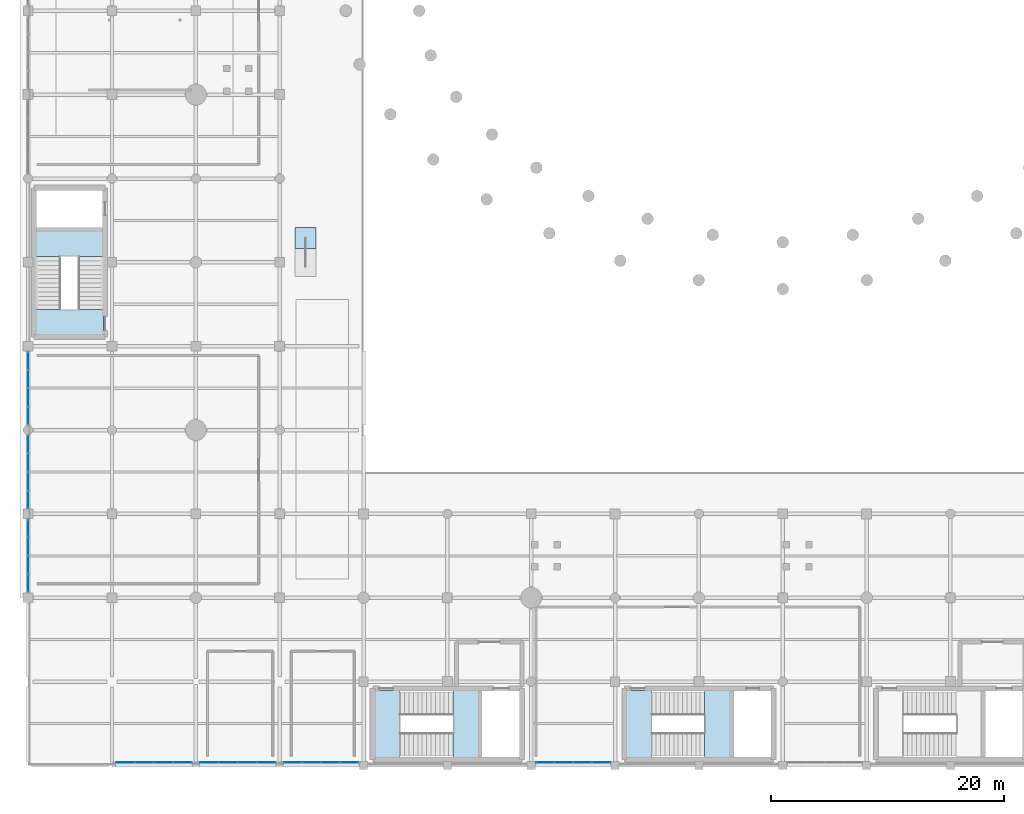
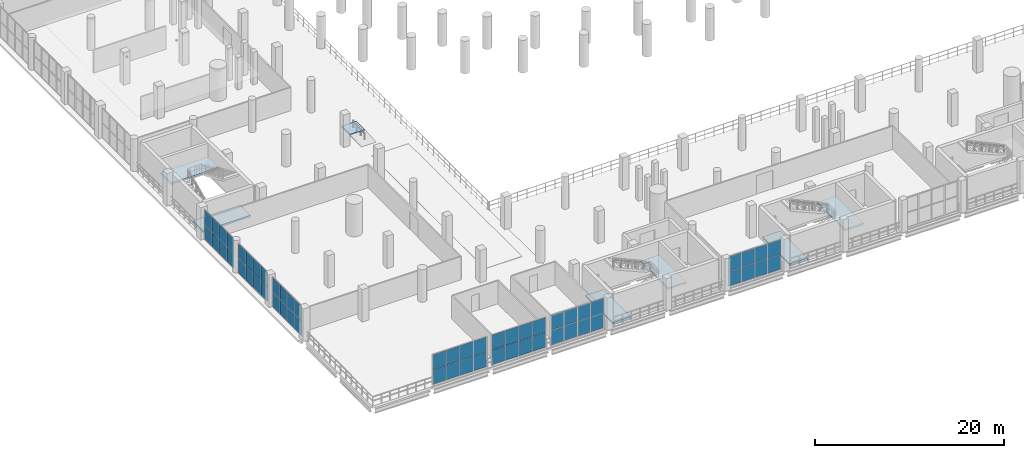
# One storey, part 118 of 153: 56 plates, 7 slabs, 11 elements without a shape of their own.
"""IFC4 building model written with IfcOpenShell, lengths in metres."""

from ifc_helpers import new_model, si_unit, direction, frame, origin, origin_2d, place, context, subcontext, project, spatial, polyline, rectangle, outline, extrude, material, layer, layer_set, type_object, element, aggregate, save


model = new_model("IFC4")

# Units and contexts
model_context = context("Model", 3, precision=1e-05, world=origin(), true_north=direction((0.0, 1.0)))
body_context = subcontext(model_context, "Body", "Model", "MODEL_VIEW")
ifc_project = project(units=[si_unit("LENGTHUNIT", "METRE"), si_unit("AREAUNIT", "SQUARE_METRE"), si_unit("VOLUMEUNIT", "CUBIC_METRE"), si_unit("PLANEANGLEUNIT", "RADIAN"), si_unit("MASSUNIT", "GRAM", prefix="KILO")], contexts=[model_context])

# Site, building, storey
site_placement = place(None, origin())
site = spatial("IfcSite", under=ifc_project, at=site_placement, CompositionType="ELEMENT")
building_placement = place(site_placement, origin())
building = spatial("IfcBuilding", under=site, at=building_placement, Name="Qandorah Velis Arena", CompositionType="ELEMENT")
storey_placement = place(building_placement, frame((0.0, 0.0, 5.39990234375)))
storey = spatial("IfcBuildingStorey", under=building, at=storey_placement, Name="L01", CompositionType="ELEMENT", Elevation=5.39990234375)

# Curtain wall, plates
ifc_material_1 = material(Name="Solar-control low-E double glazing", Category="glass")
curtain_wall_type_1 = type_object("IfcCurtainWallType", Name="ARC-CW-SYS03", PredefinedType="USERDEFINED", material=ifc_material_1)
curtain_wall_1_placement = place(storey_placement, origin())
curtain_wall_1 = element("IfcCurtainWall", 1, at=curtain_wall_1_placement, inside=storey, type_object=curtain_wall_type_1, Name="Unitised curtain wall L01-003", ObjectType="UNITISED CURTAIN WALL", PredefinedType="USERDEFINED")
ifc_layer_1 = layer(ifc_material_1, 0.028076171875)
ifc_layer_set_1 = layer_set([ifc_layer_1], Name="Solar-control low-E double glazing")
plate_type_1 = type_object("IfcPlateType", Name="ARC-CWP-GLZ28", PredefinedType="CURTAIN_PANEL", material=ifc_layer_set_1)
plate_1_placement = place(storey_placement, frame((0.0, 30.030517578125, 0.05029296875), z_axis=(0.0, 0.0, 1.0), x_axis=(0.0, 1.0, 0.0)))
plate_1 = element("IfcPlate", 2, at=plate_1_placement, type_object=plate_type_1, Name="CW03 panel 1.1", PredefinedType="CURTAIN_PANEL", context=body_context, shape_type="SweptSolid", body=[
    extrude(rectangle(XDim=1.51123046875, YDim=0.028076171875, at=origin_2d()), origin(), (0.0, 0.0, 1.0), 1.889892578125),
])
plate_2_placement = place(storey_placement, frame((0.0, 30.030517578125, 1.97998046875), z_axis=(0.0, 0.0, 1.0), x_axis=(0.0, 1.0, 0.0)))
plate_2 = element("IfcPlate", 3, at=plate_2_placement, type_object=plate_type_1, Name="CW03 panel 1.2", PredefinedType="CURTAIN_PANEL", context=body_context, shape_type="SweptSolid", body=[
    extrude(rectangle(XDim=1.51123046875, YDim=0.028076171875, at=origin_2d()), origin(), (0.0, 0.0, 1.0), 1.889892578125),
])
plate_3_placement = place(storey_placement, frame((0.0, 31.596923828125, 0.05029296875), z_axis=(0.0, 0.0, 1.0), x_axis=(0.0, 1.0, 0.0)))
plate_3 = element("IfcPlate", 4, at=plate_3_placement, type_object=plate_type_1, Name="CW03 panel 2.1", PredefinedType="CURTAIN_PANEL", context=body_context, shape_type="SweptSolid", body=[
    extrude(rectangle(XDim=1.541259765625, YDim=0.028076171875, at=origin_2d()), origin(), (0.0, 0.0, 1.0), 1.889892578125),
])
plate_4_placement = place(storey_placement, frame((0.0, 31.596923828125, 1.97998046875), z_axis=(0.0, 0.0, 1.0), x_axis=(0.0, 1.0, 0.0)))
plate_4 = element("IfcPlate", 5, at=plate_4_placement, type_object=plate_type_1, Name="CW03 panel 2.2", PredefinedType="CURTAIN_PANEL", context=body_context, shape_type="SweptSolid", body=[
    extrude(rectangle(XDim=1.541259765625, YDim=0.028076171875, at=origin_2d()), origin(), (0.0, 0.0, 1.0), 1.889892578125),
])
plate_5_placement = place(storey_placement, frame((0.0, 33.17822265625, 0.05029296875), z_axis=(0.0, 0.0, 1.0), x_axis=(0.0, 1.0, 0.0)))
plate_5 = element("IfcPlate", 6, at=plate_5_placement, type_object=plate_type_1, Name="CW03 panel 3.1", PredefinedType="CURTAIN_PANEL", context=body_context, shape_type="SweptSolid", body=[
    extrude(rectangle(XDim=1.541259765625, YDim=0.028076171875, at=origin_2d()), origin(), (0.0, 0.0, 1.0), 1.889892578125),
])
plate_6_placement = place(storey_placement, frame((0.0, 33.17822265625, 1.97998046875), z_axis=(0.0, 0.0, 1.0), x_axis=(0.0, 1.0, 0.0)))
plate_6 = element("IfcPlate", 7, at=plate_6_placement, type_object=plate_type_1, Name="CW03 panel 3.2", PredefinedType="CURTAIN_PANEL", context=body_context, shape_type="SweptSolid", body=[
    extrude(rectangle(XDim=1.541259765625, YDim=0.028076171875, at=origin_2d()), origin(), (0.0, 0.0, 1.0), 1.889892578125),
])
plate_7_placement = place(storey_placement, frame((0.0, 34.744384765625, 0.05029296875), z_axis=(0.0, 0.0, 1.0), x_axis=(0.0, 1.0, 0.0)))
plate_7 = element("IfcPlate", 8, at=plate_7_placement, type_object=plate_type_1, Name="CW03 panel 4.1", PredefinedType="CURTAIN_PANEL", context=body_context, shape_type="SweptSolid", body=[
    extrude(rectangle(XDim=1.51123046875, YDim=0.028076171875, at=origin_2d()), origin(), (0.0, 0.0, 1.0), 1.889892578125),
])
plate_8_placement = place(storey_placement, frame((0.0, 34.744384765625, 1.97998046875), z_axis=(0.0, 0.0, 1.0), x_axis=(0.0, 1.0, 0.0)))
plate_8 = element("IfcPlate", 9, at=plate_8_placement, type_object=plate_type_1, Name="CW03 panel 4.2", PredefinedType="CURTAIN_PANEL", context=body_context, shape_type="SweptSolid", body=[
    extrude(rectangle(XDim=1.51123046875, YDim=0.028076171875, at=origin_2d()), origin(), (0.0, 0.0, 1.0), 1.889892578125),
])
aggregate(curtain_wall_1, [plate_1, plate_2, plate_3, plate_4, plate_5, plate_6, plate_7, plate_8])

curtain_wall_type_2 = type_object("IfcCurtainWallType", Name="ARC-CW-SYS10", PredefinedType="USERDEFINED", material=ifc_material_1)
curtain_wall_2_placement = place(storey_placement, origin())
curtain_wall_2 = element("IfcCurtainWall", 10, at=curtain_wall_2_placement, inside=storey, type_object=curtain_wall_type_2, Name="Unitised curtain wall L01-058", ObjectType="UNITISED CURTAIN WALL", PredefinedType="USERDEFINED")
plate_9_placement = place(storey_placement, frame((44.3974609375, 0.25, 0.05517578125), z_axis=(0.0, 0.0, 1.0), x_axis=(1.0, 0.0, 0.0)))
plate_9 = element("IfcPlate", 11, at=plate_9_placement, type_object=plate_type_1, Name="CW10 panel 1.1", PredefinedType="CURTAIN_PANEL", context=body_context, shape_type="SweptSolid", body=[
    extrude(rectangle(XDim=1.534912109375, YDim=0.028076171875, at=origin_2d()), origin(), (0.0, 0.0, 1.0), 1.882568359375),
])
plate_10_placement = place(storey_placement, frame((44.3974609375, 0.25, 1.982421875), z_axis=(0.0, 0.0, 1.0), x_axis=(1.0, 0.0, 0.0)))
plate_10 = element("IfcPlate", 12, at=plate_10_placement, type_object=plate_type_1, Name="CW10 panel 1.2", PredefinedType="CURTAIN_PANEL", context=body_context, shape_type="SweptSolid", body=[
    extrude(rectangle(XDim=1.534912109375, YDim=0.028076171875, at=origin_2d()), origin(), (0.0, 0.0, 1.0), 1.882568359375),
])
plate_11_placement = place(storey_placement, frame((45.99365234375, 0.25, 0.05517578125), z_axis=(0.0, 0.0, 1.0), x_axis=(1.0, 0.0, 0.0)))
plate_11 = element("IfcPlate", 13, at=plate_11_placement, type_object=plate_type_1, Name="CW10 panel 2.1", PredefinedType="CURTAIN_PANEL", context=body_context, shape_type="SweptSolid", body=[
    extrude(rectangle(XDim=1.5673828125, YDim=0.028076171875, at=origin_2d()), origin(), (0.0, 0.0, 1.0), 1.882568359375),
])
plate_12_placement = place(storey_placement, frame((45.99365234375, 0.25, 1.982421875), z_axis=(0.0, 0.0, 1.0), x_axis=(1.0, 0.0, 0.0)))
plate_12 = element("IfcPlate", 14, at=plate_12_placement, type_object=plate_type_1, Name="CW10 panel 2.2", PredefinedType="CURTAIN_PANEL", context=body_context, shape_type="SweptSolid", body=[
    extrude(rectangle(XDim=1.5673828125, YDim=0.028076171875, at=origin_2d()), origin(), (0.0, 0.0, 1.0), 1.882568359375),
])
plate_13_placement = place(storey_placement, frame((47.606201171875, 0.25, 0.05517578125), z_axis=(0.0, 0.0, 1.0), x_axis=(1.0, 0.0, 0.0)))
plate_13 = element("IfcPlate", 15, at=plate_13_placement, type_object=plate_type_1, Name="CW10 panel 3.1", PredefinedType="CURTAIN_PANEL", context=body_context, shape_type="SweptSolid", body=[
    extrude(rectangle(XDim=1.5673828125, YDim=0.028076171875, at=origin_2d()), origin(), (0.0, 0.0, 1.0), 1.882568359375),
])
plate_14_placement = place(storey_placement, frame((47.606201171875, 0.25, 1.982421875), z_axis=(0.0, 0.0, 1.0), x_axis=(1.0, 0.0, 0.0)))
plate_14 = element("IfcPlate", 16, at=plate_14_placement, type_object=plate_type_1, Name="CW10 panel 3.2", PredefinedType="CURTAIN_PANEL", context=body_context, shape_type="SweptSolid", body=[
    extrude(rectangle(XDim=1.5673828125, YDim=0.028076171875, at=origin_2d()), origin(), (0.0, 0.0, 1.0), 1.882568359375),
])
plate_15_placement = place(storey_placement, frame((49.202392578125, 0.25, 0.05517578125), z_axis=(0.0, 0.0, 1.0), x_axis=(1.0, 0.0, 0.0)))
plate_15 = element("IfcPlate", 17, at=plate_15_placement, type_object=plate_type_1, Name="CW10 panel 4.1", PredefinedType="CURTAIN_PANEL", context=body_context, shape_type="SweptSolid", body=[
    extrude(rectangle(XDim=1.534912109375, YDim=0.028076171875, at=origin_2d()), origin(), (0.0, 0.0, 1.0), 1.882568359375),
])
plate_16_placement = place(storey_placement, frame((49.202392578125, 0.25, 1.982421875), z_axis=(0.0, 0.0, 1.0), x_axis=(1.0, 0.0, 0.0)))
plate_16 = element("IfcPlate", 18, at=plate_16_placement, type_object=plate_type_1, Name="CW10 panel 4.2", PredefinedType="CURTAIN_PANEL", context=body_context, shape_type="SweptSolid", body=[
    extrude(rectangle(XDim=1.534912109375, YDim=0.028076171875, at=origin_2d()), origin(), (0.0, 0.0, 1.0), 1.882568359375),
])
aggregate(curtain_wall_2, [plate_9, plate_10, plate_11, plate_12, plate_13, plate_14, plate_15, plate_16])

curtain_wall_type_3 = type_object("IfcCurtainWallType", Name="ARC-CW-SYS02", PredefinedType="USERDEFINED", material=ifc_material_1)
curtain_wall_3_placement = place(storey_placement, origin())
curtain_wall_3 = element("IfcCurtainWall", 19, at=curtain_wall_3_placement, inside=storey, type_object=curtain_wall_type_3, Name="Unitised curtain wall L01-002", ObjectType="UNITISED CURTAIN WALL", PredefinedType="USERDEFINED")
ifc_layer_2 = layer(ifc_material_1, 0.030029296875)
ifc_layer_set_2 = layer_set([ifc_layer_2], Name="Solar-control low-E double glazing")
plate_type_2 = type_object("IfcPlateType", Name="ARC-CWP-GLZ30", PredefinedType="CURTAIN_PANEL", material=ifc_layer_set_2)
plate_17_placement = place(storey_placement, frame((0.0, 22.8349609375, 0.05517578125), z_axis=(0.0, 0.0, 1.0), x_axis=(0.0, 1.0, 0.0)))
plate_17 = element("IfcPlate", 20, at=plate_17_placement, type_object=plate_type_2, Name="CW02 panel 1.1", PredefinedType="CURTAIN_PANEL", context=body_context, shape_type="SweptSolid", body=[
    extrude(rectangle(XDim=1.510009765625, YDim=0.030029296875, at=origin_2d()), origin(), (0.0, 0.0, 1.0), 1.882568359375),
])
plate_18_placement = place(storey_placement, frame((0.0, 22.8349609375, 1.982421875), z_axis=(0.0, 0.0, 1.0), x_axis=(0.0, 1.0, 0.0)))
plate_18 = element("IfcPlate", 21, at=plate_18_placement, type_object=plate_type_2, Name="CW02 panel 1.2", PredefinedType="CURTAIN_PANEL", context=body_context, shape_type="SweptSolid", body=[
    extrude(rectangle(XDim=1.510009765625, YDim=0.030029296875, at=origin_2d()), origin(), (0.0, 0.0, 1.0), 1.882568359375),
])
plate_19_placement = place(storey_placement, frame((0.0, 24.40625, 0.05517578125), z_axis=(0.0, 0.0, 1.0), x_axis=(0.0, 1.0, 0.0)))
plate_19 = element("IfcPlate", 22, at=plate_19_placement, type_object=plate_type_2, Name="CW02 panel 2.1", PredefinedType="CURTAIN_PANEL", context=body_context, shape_type="SweptSolid", body=[
    extrude(rectangle(XDim=1.54248046875, YDim=0.030029296875, at=origin_2d()), origin(), (0.0, 0.0, 1.0), 1.882568359375),
])
plate_20_placement = place(storey_placement, frame((0.0, 24.40625, 1.982421875), z_axis=(0.0, 0.0, 1.0), x_axis=(0.0, 1.0, 0.0)))
plate_20 = element("IfcPlate", 23, at=plate_20_placement, type_object=plate_type_2, Name="CW02 panel 2.2", PredefinedType="CURTAIN_PANEL", context=body_context, shape_type="SweptSolid", body=[
    extrude(rectangle(XDim=1.54248046875, YDim=0.030029296875, at=origin_2d()), origin(), (0.0, 0.0, 1.0), 1.882568359375),
])
plate_21_placement = place(storey_placement, frame((0.0, 25.99365234375, 0.05517578125), z_axis=(0.0, 0.0, 1.0), x_axis=(0.0, 1.0, 0.0)))
plate_21 = element("IfcPlate", 24, at=plate_21_placement, type_object=plate_type_2, Name="CW02 panel 3.1", PredefinedType="CURTAIN_PANEL", context=body_context, shape_type="SweptSolid", body=[
    extrude(rectangle(XDim=1.54248046875, YDim=0.030029296875, at=origin_2d()), origin(), (0.0, 0.0, 1.0), 1.882568359375),
])
plate_22_placement = place(storey_placement, frame((0.0, 25.99365234375, 1.982421875), z_axis=(0.0, 0.0, 1.0), x_axis=(0.0, 1.0, 0.0)))
plate_22 = element("IfcPlate", 25, at=plate_22_placement, type_object=plate_type_2, Name="CW02 panel 3.2", PredefinedType="CURTAIN_PANEL", context=body_context, shape_type="SweptSolid", body=[
    extrude(rectangle(XDim=1.54248046875, YDim=0.030029296875, at=origin_2d()), origin(), (0.0, 0.0, 1.0), 1.882568359375),
])
plate_23_placement = place(storey_placement, frame((0.0, 27.56494140625, 0.05517578125), z_axis=(0.0, 0.0, 1.0), x_axis=(0.0, 1.0, 0.0)))
plate_23 = element("IfcPlate", 26, at=plate_23_placement, type_object=plate_type_2, Name="CW02 panel 4.1", PredefinedType="CURTAIN_PANEL", context=body_context, shape_type="SweptSolid", body=[
    extrude(rectangle(XDim=1.510009765625, YDim=0.030029296875, at=origin_2d()), origin(), (0.0, 0.0, 1.0), 1.882568359375),
])
plate_24_placement = place(storey_placement, frame((0.0, 27.56494140625, 1.982421875), z_axis=(0.0, 0.0, 1.0), x_axis=(0.0, 1.0, 0.0)))
plate_24 = element("IfcPlate", 27, at=plate_24_placement, type_object=plate_type_2, Name="CW02 panel 4.2", PredefinedType="CURTAIN_PANEL", context=body_context, shape_type="SweptSolid", body=[
    extrude(rectangle(XDim=1.510009765625, YDim=0.030029296875, at=origin_2d()), origin(), (0.0, 0.0, 1.0), 1.882568359375),
])
aggregate(curtain_wall_3, [plate_17, plate_18, plate_19, plate_20, plate_21, plate_22, plate_23, plate_24])

curtain_wall_type_4 = type_object("IfcCurtainWallType", Name="ARC-CW-SYS09", PredefinedType="USERDEFINED", material=ifc_material_1)
curtain_wall_4_placement = place(storey_placement, origin())
curtain_wall_4 = element("IfcCurtainWall", 28, at=curtain_wall_4_placement, inside=storey, type_object=curtain_wall_type_4, Name="Unitised curtain wall L01-057", ObjectType="UNITISED CURTAIN WALL", PredefinedType="USERDEFINED")
plate_25_placement = place(storey_placement, frame((22.734375, 0.25, 0.06494140625), z_axis=(0.0, 0.0, 1.0), x_axis=(1.0, 0.0, 0.0)))
plate_25 = element("IfcPlate", 29, at=plate_25_placement, type_object=plate_type_2, Name="CW09 panel 1.1", PredefinedType="CURTAIN_PANEL", context=body_context, shape_type="SweptSolid", body=[
    extrude(rectangle(XDim=1.538818359375, YDim=0.030029296875, at=origin_2d()), origin(), (0.0, 0.0, 1.0), 1.867431640625),
])
plate_26_placement = place(storey_placement, frame((22.734375, 0.25, 1.98779296875), z_axis=(0.0, 0.0, 1.0), x_axis=(1.0, 0.0, 0.0)))
plate_26 = element("IfcPlate", 30, at=plate_26_placement, type_object=plate_type_2, Name="CW09 panel 1.2", PredefinedType="CURTAIN_PANEL", context=body_context, shape_type="SweptSolid", body=[
    extrude(rectangle(XDim=1.538818359375, YDim=0.030029296875, at=origin_2d()), origin(), (0.0, 0.0, 1.0), 1.867431640625),
])
plate_27_placement = place(storey_placement, frame((24.346923828125, 0.25, 0.06494140625), z_axis=(0.0, 0.0, 1.0), x_axis=(1.0, 0.0, 0.0)))
plate_27 = element("IfcPlate", 31, at=plate_27_placement, type_object=plate_type_2, Name="CW09 panel 2.1", PredefinedType="CURTAIN_PANEL", context=body_context, shape_type="SweptSolid", body=[
    extrude(rectangle(XDim=1.576416015625, YDim=0.030029296875, at=origin_2d()), origin(), (0.0, 0.0, 1.0), 1.867431640625),
])
plate_28_placement = place(storey_placement, frame((24.346923828125, 0.25, 1.98779296875), z_axis=(0.0, 0.0, 1.0), x_axis=(1.0, 0.0, 0.0)))
plate_28 = element("IfcPlate", 32, at=plate_28_placement, type_object=plate_type_2, Name="CW09 panel 2.2", PredefinedType="CURTAIN_PANEL", context=body_context, shape_type="SweptSolid", body=[
    extrude(rectangle(XDim=1.576416015625, YDim=0.030029296875, at=origin_2d()), origin(), (0.0, 0.0, 1.0), 1.867431640625),
])
plate_29_placement = place(storey_placement, frame((25.97802734375, 0.25, 0.06494140625), z_axis=(0.0, 0.0, 1.0), x_axis=(1.0, 0.0, 0.0)))
plate_29 = element("IfcPlate", 33, at=plate_29_placement, type_object=plate_type_2, Name="CW09 panel 3.1", PredefinedType="CURTAIN_PANEL", context=body_context, shape_type="SweptSolid", body=[
    extrude(rectangle(XDim=1.576416015625, YDim=0.030029296875, at=origin_2d()), origin(), (0.0, 0.0, 1.0), 1.867431640625),
])
plate_30_placement = place(storey_placement, frame((25.97802734375, 0.25, 1.98779296875), z_axis=(0.0, 0.0, 1.0), x_axis=(1.0, 0.0, 0.0)))
plate_30 = element("IfcPlate", 34, at=plate_30_placement, type_object=plate_type_2, Name="CW09 panel 3.2", PredefinedType="CURTAIN_PANEL", context=body_context, shape_type="SweptSolid", body=[
    extrude(rectangle(XDim=1.576416015625, YDim=0.030029296875, at=origin_2d()), origin(), (0.0, 0.0, 1.0), 1.867431640625),
])
plate_31_placement = place(storey_placement, frame((27.590576171875, 0.25, 0.06494140625), z_axis=(0.0, 0.0, 1.0), x_axis=(1.0, 0.0, 0.0)))
plate_31 = element("IfcPlate", 35, at=plate_31_placement, type_object=plate_type_2, Name="CW09 panel 4.1", PredefinedType="CURTAIN_PANEL", context=body_context, shape_type="SweptSolid", body=[
    extrude(rectangle(XDim=1.538818359375, YDim=0.030029296875, at=origin_2d()), origin(), (0.0, 0.0, 1.0), 1.867431640625),
])
plate_32_placement = place(storey_placement, frame((27.590576171875, 0.25, 1.98779296875), z_axis=(0.0, 0.0, 1.0), x_axis=(1.0, 0.0, 0.0)))
plate_32 = element("IfcPlate", 36, at=plate_32_placement, type_object=plate_type_2, Name="CW09 panel 4.2", PredefinedType="CURTAIN_PANEL", context=body_context, shape_type="SweptSolid", body=[
    extrude(rectangle(XDim=1.538818359375, YDim=0.030029296875, at=origin_2d()), origin(), (0.0, 0.0, 1.0), 1.867431640625),
])
aggregate(curtain_wall_4, [plate_25, plate_26, plate_27, plate_28, plate_29, plate_30, plate_31, plate_32])

curtain_wall_type_5 = type_object("IfcCurtainWallType", Name="ARC-CW-SYS01", PredefinedType="USERDEFINED", material=ifc_material_1)
curtain_wall_5_placement = place(storey_placement, origin())
curtain_wall_5 = element("IfcCurtainWall", 37, at=curtain_wall_5_placement, inside=storey, type_object=curtain_wall_type_5, Name="Unitised curtain wall L01-001", ObjectType="UNITISED CURTAIN WALL", PredefinedType="USERDEFINED")
ifc_layer_3 = layer(ifc_material_1, 0.035888671875)
ifc_layer_set_3 = layer_set([ifc_layer_3], Name="Solar-control low-E double glazing")
plate_type_3 = type_object("IfcPlateType", Name="ARC-CWP-GLZ36", PredefinedType="CURTAIN_PANEL", material=ifc_layer_set_3)
plate_33_placement = place(storey_placement, frame((0.0, 15.659423828125, 0.06494140625), z_axis=(0.0, 0.0, 1.0), x_axis=(0.0, 1.0, 0.0)))
plate_33 = element("IfcPlate", 38, at=plate_33_placement, type_object=plate_type_3, Name="CW01 panel 1.1", PredefinedType="CURTAIN_PANEL", context=body_context, shape_type="SweptSolid", body=[
    extrude(rectangle(XDim=1.48876953125, YDim=0.035888671875, at=origin_2d()), origin(), (0.0, 0.0, 1.0), 1.867431640625),
])
plate_34_placement = place(storey_placement, frame((0.0, 15.659423828125, 1.98779296875), z_axis=(0.0, 0.0, 1.0), x_axis=(0.0, 1.0, 0.0)))
plate_34 = element("IfcPlate", 39, at=plate_34_placement, type_object=plate_type_3, Name="CW01 panel 1.2", PredefinedType="CURTAIN_PANEL", context=body_context, shape_type="SweptSolid", body=[
    extrude(rectangle(XDim=1.48876953125, YDim=0.035888671875, at=origin_2d()), origin(), (0.0, 0.0, 1.0), 1.867431640625),
])
plate_35_placement = place(storey_placement, frame((0.0, 17.221923828125, 0.06494140625), z_axis=(0.0, 0.0, 1.0), x_axis=(0.0, 1.0, 0.0)))
plate_35 = element("IfcPlate", 40, at=plate_35_placement, type_object=plate_type_3, Name="CW01 panel 2.1", PredefinedType="CURTAIN_PANEL", context=body_context, shape_type="SweptSolid", body=[
    extrude(rectangle(XDim=1.5263671875, YDim=0.035888671875, at=origin_2d()), origin(), (0.0, 0.0, 1.0), 1.867431640625),
])
plate_36_placement = place(storey_placement, frame((0.0, 17.221923828125, 1.98779296875), z_axis=(0.0, 0.0, 1.0), x_axis=(0.0, 1.0, 0.0)))
plate_36 = element("IfcPlate", 41, at=plate_36_placement, type_object=plate_type_3, Name="CW01 panel 2.2", PredefinedType="CURTAIN_PANEL", context=body_context, shape_type="SweptSolid", body=[
    extrude(rectangle(XDim=1.5263671875, YDim=0.035888671875, at=origin_2d()), origin(), (0.0, 0.0, 1.0), 1.867431640625),
])
plate_37_placement = place(storey_placement, frame((0.0, 18.80322265625, 0.06494140625), z_axis=(0.0, 0.0, 1.0), x_axis=(0.0, 1.0, 0.0)))
plate_37 = element("IfcPlate", 42, at=plate_37_placement, type_object=plate_type_3, Name="CW01 panel 3.1", PredefinedType="CURTAIN_PANEL", context=body_context, shape_type="SweptSolid", body=[
    extrude(rectangle(XDim=1.5263671875, YDim=0.035888671875, at=origin_2d()), origin(), (0.0, 0.0, 1.0), 1.867431640625),
])
plate_38_placement = place(storey_placement, frame((0.0, 18.80322265625, 1.98779296875), z_axis=(0.0, 0.0, 1.0), x_axis=(0.0, 1.0, 0.0)))
plate_38 = element("IfcPlate", 43, at=plate_38_placement, type_object=plate_type_3, Name="CW01 panel 3.2", PredefinedType="CURTAIN_PANEL", context=body_context, shape_type="SweptSolid", body=[
    extrude(rectangle(XDim=1.5263671875, YDim=0.035888671875, at=origin_2d()), origin(), (0.0, 0.0, 1.0), 1.867431640625),
])
plate_39_placement = place(storey_placement, frame((0.0, 20.36572265625, 0.06494140625), z_axis=(0.0, 0.0, 1.0), x_axis=(0.0, 1.0, 0.0)))
plate_39 = element("IfcPlate", 44, at=plate_39_placement, type_object=plate_type_3, Name="CW01 panel 4.1", PredefinedType="CURTAIN_PANEL", context=body_context, shape_type="SweptSolid", body=[
    extrude(rectangle(XDim=1.48876953125, YDim=0.035888671875, at=origin_2d()), origin(), (0.0, 0.0, 1.0), 1.867431640625),
])
plate_40_placement = place(storey_placement, frame((0.0, 20.36572265625, 1.98779296875), z_axis=(0.0, 0.0, 1.0), x_axis=(0.0, 1.0, 0.0)))
plate_40 = element("IfcPlate", 45, at=plate_40_placement, type_object=plate_type_3, Name="CW01 panel 4.2", PredefinedType="CURTAIN_PANEL", context=body_context, shape_type="SweptSolid", body=[
    extrude(rectangle(XDim=1.48876953125, YDim=0.035888671875, at=origin_2d()), origin(), (0.0, 0.0, 1.0), 1.867431640625),
])
aggregate(curtain_wall_5, [plate_33, plate_34, plate_35, plate_36, plate_37, plate_38, plate_39, plate_40])

curtain_wall_type_6 = type_object("IfcCurtainWallType", Name="ARC-CW-SYS08", PredefinedType="USERDEFINED", material=ifc_material_1)
curtain_wall_6_placement = place(storey_placement, origin())
curtain_wall_6 = element("IfcCurtainWall", 46, at=curtain_wall_6_placement, inside=storey, type_object=curtain_wall_type_6, Name="Unitised curtain wall L01-056", ObjectType="UNITISED CURTAIN WALL", PredefinedType="USERDEFINED")
plate_41_placement = place(storey_placement, frame((15.538818359375, 0.25, 0.045166015625), z_axis=(0.0, 0.0, 1.0), x_axis=(1.0, 0.0, 0.0)))
plate_41 = element("IfcPlate", 47, at=plate_41_placement, type_object=plate_type_3, Name="CW08 panel 1.1", PredefinedType="CURTAIN_PANEL", context=body_context, shape_type="SweptSolid", body=[
    extrude(rectangle(XDim=1.58740234375, YDim=0.035888671875, at=origin_2d()), origin(), (0.0, 0.0, 1.0), 1.8974609375),
])
plate_42_placement = place(storey_placement, frame((15.538818359375, 0.25, 1.9775390625), z_axis=(0.0, 0.0, 1.0), x_axis=(1.0, 0.0, 0.0)))
plate_42 = element("IfcPlate", 48, at=plate_42_placement, type_object=plate_type_3, Name="CW08 panel 1.2", PredefinedType="CURTAIN_PANEL", context=body_context, shape_type="SweptSolid", body=[
    extrude(rectangle(XDim=1.58740234375, YDim=0.035888671875, at=origin_2d()), origin(), (0.0, 0.0, 1.0), 1.8974609375),
])
plate_43_placement = place(storey_placement, frame((17.175048828125, 0.25, 0.045166015625), z_axis=(0.0, 0.0, 1.0), x_axis=(1.0, 0.0, 0.0)))
plate_43 = element("IfcPlate", 49, at=plate_43_placement, type_object=plate_type_3, Name="CW08 panel 2.1", PredefinedType="CURTAIN_PANEL", context=body_context, shape_type="SweptSolid", body=[
    extrude(rectangle(XDim=1.614990234375, YDim=0.035888671875, at=origin_2d()), origin(), (0.0, 0.0, 1.0), 1.8974609375),
])
plate_44_placement = place(storey_placement, frame((17.175048828125, 0.25, 1.9775390625), z_axis=(0.0, 0.0, 1.0), x_axis=(1.0, 0.0, 0.0)))
plate_44 = element("IfcPlate", 50, at=plate_44_placement, type_object=plate_type_3, Name="CW08 panel 2.2", PredefinedType="CURTAIN_PANEL", context=body_context, shape_type="SweptSolid", body=[
    extrude(rectangle(XDim=1.614990234375, YDim=0.035888671875, at=origin_2d()), origin(), (0.0, 0.0, 1.0), 1.8974609375),
])
plate_45_placement = place(storey_placement, frame((18.824951171875, 0.25, 0.045166015625), z_axis=(0.0, 0.0, 1.0), x_axis=(1.0, 0.0, 0.0)))
plate_45 = element("IfcPlate", 51, at=plate_45_placement, type_object=plate_type_3, Name="CW08 panel 3.1", PredefinedType="CURTAIN_PANEL", context=body_context, shape_type="SweptSolid", body=[
    extrude(rectangle(XDim=1.614990234375, YDim=0.035888671875, at=origin_2d()), origin(), (0.0, 0.0, 1.0), 1.8974609375),
])
plate_46_placement = place(storey_placement, frame((18.824951171875, 0.25, 1.9775390625), z_axis=(0.0, 0.0, 1.0), x_axis=(1.0, 0.0, 0.0)))
plate_46 = element("IfcPlate", 52, at=plate_46_placement, type_object=plate_type_3, Name="CW08 panel 3.2", PredefinedType="CURTAIN_PANEL", context=body_context, shape_type="SweptSolid", body=[
    extrude(rectangle(XDim=1.614990234375, YDim=0.035888671875, at=origin_2d()), origin(), (0.0, 0.0, 1.0), 1.8974609375),
])
plate_47_placement = place(storey_placement, frame((20.461181640625, 0.25, 0.045166015625), z_axis=(0.0, 0.0, 1.0), x_axis=(1.0, 0.0, 0.0)))
plate_47 = element("IfcPlate", 53, at=plate_47_placement, type_object=plate_type_3, Name="CW08 panel 4.1", PredefinedType="CURTAIN_PANEL", context=body_context, shape_type="SweptSolid", body=[
    extrude(rectangle(XDim=1.58740234375, YDim=0.035888671875, at=origin_2d()), origin(), (0.0, 0.0, 1.0), 1.8974609375),
])
plate_48_placement = place(storey_placement, frame((20.461181640625, 0.25, 1.9775390625), z_axis=(0.0, 0.0, 1.0), x_axis=(1.0, 0.0, 0.0)))
plate_48 = element("IfcPlate", 54, at=plate_48_placement, type_object=plate_type_3, Name="CW08 panel 4.2", PredefinedType="CURTAIN_PANEL", context=body_context, shape_type="SweptSolid", body=[
    extrude(rectangle(XDim=1.58740234375, YDim=0.035888671875, at=origin_2d()), origin(), (0.0, 0.0, 1.0), 1.8974609375),
])
aggregate(curtain_wall_6, [plate_41, plate_42, plate_43, plate_44, plate_45, plate_46, plate_47, plate_48])

curtain_wall_type_7 = type_object("IfcCurtainWallType", Name="ARC-CW-SYS07", PredefinedType="USERDEFINED", material=ifc_material_1)
curtain_wall_7_placement = place(storey_placement, origin())
curtain_wall_7 = element("IfcCurtainWall", 55, at=curtain_wall_7_placement, inside=storey, type_object=curtain_wall_type_7, Name="Unitised curtain wall L01-055", ObjectType="UNITISED CURTAIN WALL", PredefinedType="USERDEFINED")
ifc_layer_4 = layer(ifc_material_1, 0.0439453125)
ifc_layer_set_4 = layer_set([ifc_layer_4], Name="Solar-control low-E double glazing")
plate_type_4 = type_object("IfcPlateType", Name="ARC-CWP-SPN44", PredefinedType="CURTAIN_PANEL", material=ifc_layer_set_4)
plate_49_placement = place(storey_placement, frame((8.340087890625, 0.25, 0.05029296875), z_axis=(0.0, 0.0, 1.0), x_axis=(1.0, 0.0, 0.0)))
plate_49 = element("IfcPlate", 56, at=plate_49_placement, type_object=plate_type_4, Name="CW07 panel 1.1", PredefinedType="CURTAIN_PANEL", context=body_context, shape_type="SweptSolid", body=[
    extrude(rectangle(XDim=1.580078125, YDim=0.0439453125, at=origin_2d()), origin(), (0.0, 0.0, 1.0), 1.889892578125),
])
plate_50_placement = place(storey_placement, frame((8.340087890625, 0.25, 1.97998046875), z_axis=(0.0, 0.0, 1.0), x_axis=(1.0, 0.0, 0.0)))
plate_50 = element("IfcPlate", 57, at=plate_50_placement, type_object=plate_type_4, Name="CW07 panel 1.2", PredefinedType="CURTAIN_PANEL", context=body_context, shape_type="SweptSolid", body=[
    extrude(rectangle(XDim=1.580078125, YDim=0.0439453125, at=origin_2d()), origin(), (0.0, 0.0, 1.0), 1.889892578125),
])
plate_51_placement = place(storey_placement, frame((9.97509765625, 0.25, 0.05029296875), z_axis=(0.0, 0.0, 1.0), x_axis=(1.0, 0.0, 0.0)))
plate_51 = element("IfcPlate", 58, at=plate_51_placement, type_object=plate_type_4, Name="CW07 panel 2.1", PredefinedType="CURTAIN_PANEL", context=body_context, shape_type="SweptSolid", body=[
    extrude(rectangle(XDim=1.610107421875, YDim=0.0439453125, at=origin_2d()), origin(), (0.0, 0.0, 1.0), 1.889892578125),
])
plate_52_placement = place(storey_placement, frame((9.97509765625, 0.25, 1.97998046875), z_axis=(0.0, 0.0, 1.0), x_axis=(1.0, 0.0, 0.0)))
plate_52 = element("IfcPlate", 59, at=plate_52_placement, type_object=plate_type_4, Name="CW07 panel 2.2", PredefinedType="CURTAIN_PANEL", context=body_context, shape_type="SweptSolid", body=[
    extrude(rectangle(XDim=1.610107421875, YDim=0.0439453125, at=origin_2d()), origin(), (0.0, 0.0, 1.0), 1.889892578125),
])
plate_53_placement = place(storey_placement, frame((11.625, 0.25, 0.05029296875), z_axis=(0.0, 0.0, 1.0), x_axis=(1.0, 0.0, 0.0)))
plate_53 = element("IfcPlate", 60, at=plate_53_placement, type_object=plate_type_4, Name="CW07 panel 3.1", PredefinedType="CURTAIN_PANEL", context=body_context, shape_type="SweptSolid", body=[
    extrude(rectangle(XDim=1.610107421875, YDim=0.0439453125, at=origin_2d()), origin(), (0.0, 0.0, 1.0), 1.889892578125),
])
plate_54_placement = place(storey_placement, frame((11.625, 0.25, 1.97998046875), z_axis=(0.0, 0.0, 1.0), x_axis=(1.0, 0.0, 0.0)))
plate_54 = element("IfcPlate", 61, at=plate_54_placement, type_object=plate_type_4, Name="CW07 panel 3.2", PredefinedType="CURTAIN_PANEL", context=body_context, shape_type="SweptSolid", body=[
    extrude(rectangle(XDim=1.610107421875, YDim=0.0439453125, at=origin_2d()), origin(), (0.0, 0.0, 1.0), 1.889892578125),
])
plate_55_placement = place(storey_placement, frame((13.260009765625, 0.25, 0.05029296875), z_axis=(0.0, 0.0, 1.0), x_axis=(1.0, 0.0, 0.0)))
plate_55 = element("IfcPlate", 62, at=plate_55_placement, type_object=plate_type_4, Name="CW07 panel 4.1", PredefinedType="CURTAIN_PANEL", context=body_context, shape_type="SweptSolid", body=[
    extrude(rectangle(XDim=1.580078125, YDim=0.0439453125, at=origin_2d()), origin(), (0.0, 0.0, 1.0), 1.889892578125),
])
plate_56_placement = place(storey_placement, frame((13.260009765625, 0.25, 1.97998046875), z_axis=(0.0, 0.0, 1.0), x_axis=(1.0, 0.0, 0.0)))
plate_56 = element("IfcPlate", 63, at=plate_56_placement, type_object=plate_type_4, Name="CW07 panel 4.2", PredefinedType="CURTAIN_PANEL", context=body_context, shape_type="SweptSolid", body=[
    extrude(rectangle(XDim=1.580078125, YDim=0.0439453125, at=origin_2d()), origin(), (0.0, 0.0, 1.0), 1.889892578125),
])
aggregate(curtain_wall_7, [plate_49, plate_50, plate_51, plate_52, plate_53, plate_54, plate_55, plate_56])

# Slab
ifc_material_2 = material(Name="Concrete C40/50", Category="concrete")
ifc_layer_5 = layer(ifc_material_2, 0.219970703125)
ifc_layer_set_5 = layer_set([ifc_layer_5], Name="Concrete C40/50")
slab_type = type_object("IfcSlabType", Name="STR-SLB-LND220", PredefinedType="LANDING", material=ifc_layer_set_5)
slab_1_placement = place(storey_placement, frame((0.0, 0.0, -0.219970703125)))
element("IfcSlab", 64, at=slab_1_placement, inside=storey, type_object=slab_type, Name="Stair ST1 storey landing slab L01", PredefinedType="LANDING", context=body_context, shape_type="SweptSolid", body=[
    extrude(outline(polyline([(29.75, 0.64990234375), (31.949951171875, 0.64990234375), (31.949951171875, 6.449951171875), (29.75, 6.449951171875), (29.75, 0.64990234375)])), origin(), (0.0, 0.0, 1.0), 0.219970703125),
])

# Stair, slab
stair_type = type_object("IfcStairType", Name="ARC-ST-CORE42", PredefinedType="HALF_TURN_STAIR", material=ifc_material_2)
stair_1_placement = place(storey_placement, origin())
stair_1 = element("IfcStair", 65, at=stair_1_placement, inside=storey, type_object=stair_type, Name="Protected exit stair ST1 (L01)", PredefinedType="HALF_TURN_STAIR")
slab_2_placement = place(storey_placement, frame((0.0, 0.0, 1.880126953125)))
slab_2 = element("IfcSlab", 66, at=slab_2_placement, type_object=slab_type, Name="ST1 landing 1", PredefinedType="LANDING", context=body_context, shape_type="SweptSolid", body=[
    extrude(outline(polyline([(36.486083984375, 0.64990234375), (38.736083984375, 0.64990234375), (38.736083984375, 6.449951171875), (36.486083984375, 6.449951171875), (36.486083984375, 0.64990234375)])), origin(), (0.0, 0.0, 1.0), 0.219970703125),
])
aggregate(stair_1, [slab_2])

# Slab
slab_3_placement = place(storey_placement, frame((0.0, 0.0, -0.219970703125)))
element("IfcSlab", 67, at=slab_3_placement, inside=storey, type_object=slab_type, Name="Stair ST5 storey landing slab L01", PredefinedType="LANDING", context=body_context, shape_type="SweptSolid", body=[
    extrude(outline(polyline([(0.64990234375, 36.949951171875), (6.449951171875, 36.949951171875), (6.449951171875, 39.14990234375), (0.64990234375, 39.14990234375), (0.64990234375, 36.949951171875)])), origin(), (0.0, 0.0, 1.0), 0.219970703125),
])

# Stair, slab
stair_2_placement = place(storey_placement, origin())
stair_2 = element("IfcStair", 68, at=stair_2_placement, inside=storey, type_object=stair_type, Name="Protected exit stair ST5 (L01)", PredefinedType="HALF_TURN_STAIR")
slab_4_placement = place(storey_placement, frame((0.0, 0.0, 1.880126953125)))
slab_4 = element("IfcSlab", 69, at=slab_4_placement, type_object=slab_type, Name="ST5 landing 1", PredefinedType="LANDING", context=body_context, shape_type="SweptSolid", body=[
    extrude(outline(polyline([(0.64990234375, 43.68603515625), (6.449951171875, 43.68603515625), (6.449951171875, 45.93603515625), (0.64990234375, 45.93603515625), (0.64990234375, 43.68603515625)])), origin(), (0.0, 0.0, 1.0), 0.219970703125),
])
aggregate(stair_2, [slab_4])

# Slab
slab_5_placement = place(storey_placement, frame((0.0, 0.0, -0.219970703125)))
element("IfcSlab", 70, at=slab_5_placement, inside=storey, type_object=slab_type, Name="Stair ST9 storey landing slab L01", PredefinedType="LANDING", context=body_context, shape_type="SweptSolid", body=[
    extrude(outline(polyline([(51.35009765625, 0.64990234375), (53.550048828125, 0.64990234375), (53.550048828125, 6.449951171875), (51.35009765625, 6.449951171875), (51.35009765625, 0.64990234375)])), origin(), (0.0, 0.0, 1.0), 0.219970703125),
])

# Stair, slab
stair_3_placement = place(storey_placement, origin())
stair_3 = element("IfcStair", 71, at=stair_3_placement, inside=storey, type_object=stair_type, Name="Protected exit stair ST9 (L01)", PredefinedType="HALF_TURN_STAIR")
slab_6_placement = place(storey_placement, frame((0.0, 0.0, 1.880126953125)))
slab_6 = element("IfcSlab", 72, at=slab_6_placement, type_object=slab_type, Name="ST9 landing 1", PredefinedType="LANDING", context=body_context, shape_type="SweptSolid", body=[
    extrude(outline(polyline([(58.0859375, 0.64990234375), (60.3359375, 0.64990234375), (60.3359375, 6.449951171875), (58.0859375, 6.449951171875), (58.0859375, 0.64990234375)])), origin(), (0.0, 0.0, 1.0), 0.219970703125),
])
aggregate(stair_3, [slab_6])

# Ramp, slab
ramp_type = type_object("IfcRampType", Name="ARC-RMP-PED1800", PredefinedType="TWO_STRAIGHT_RUN_RAMP", material=ifc_material_2)
ramp_placement = place(storey_placement, origin())
ramp = element("IfcRamp", 73, at=ramp_placement, inside=storey, type_object=ramp_type, Name="Accessible pedestrian threshold ramp PR3", PredefinedType="TWO_STRAIGHT_RUN_RAMP")
slab_7_placement = place(storey_placement, origin())
slab_7 = element("IfcSlab", 74, at=slab_7_placement, type_object=slab_type, Name="Accessible pedestrian threshold ramp PR3 landing 1", PredefinedType="LANDING", context=body_context, shape_type="SweptSolid", body=[
    extrude(outline(polyline([(22.89990234375, 44.39990234375), (24.699951171875, 44.39990234375), (24.699951171875, 46.199951171875), (22.89990234375, 46.199951171875), (22.89990234375, 44.39990234375)])), origin(), (0.0, 0.0, 1.0), 0.150146484375),
])
aggregate(ramp, [slab_7])

save(model, "model.ifc")
